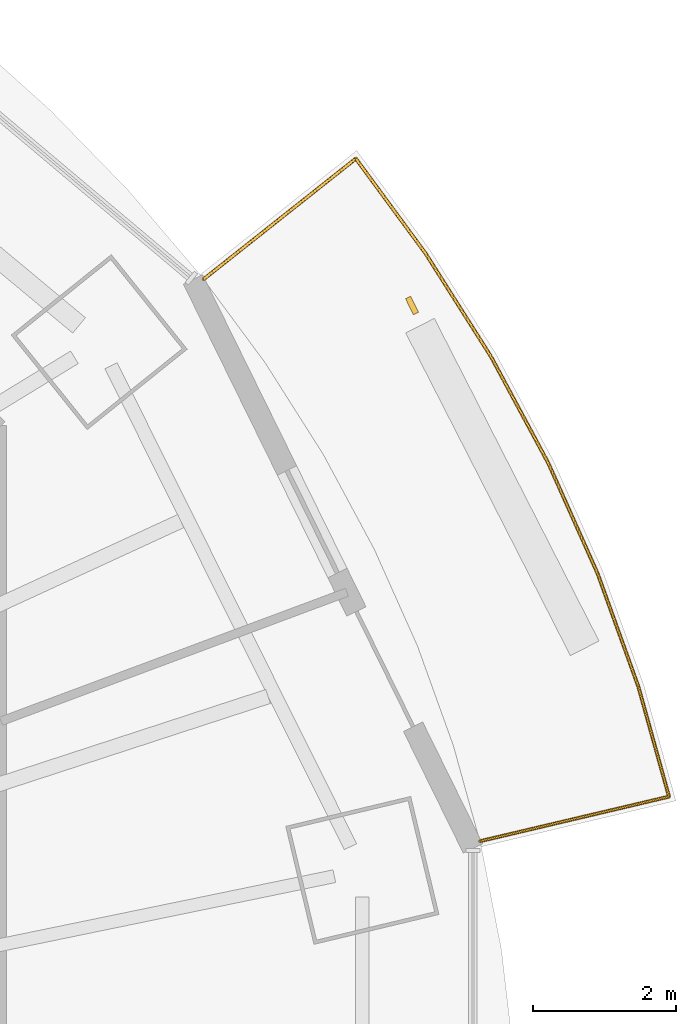
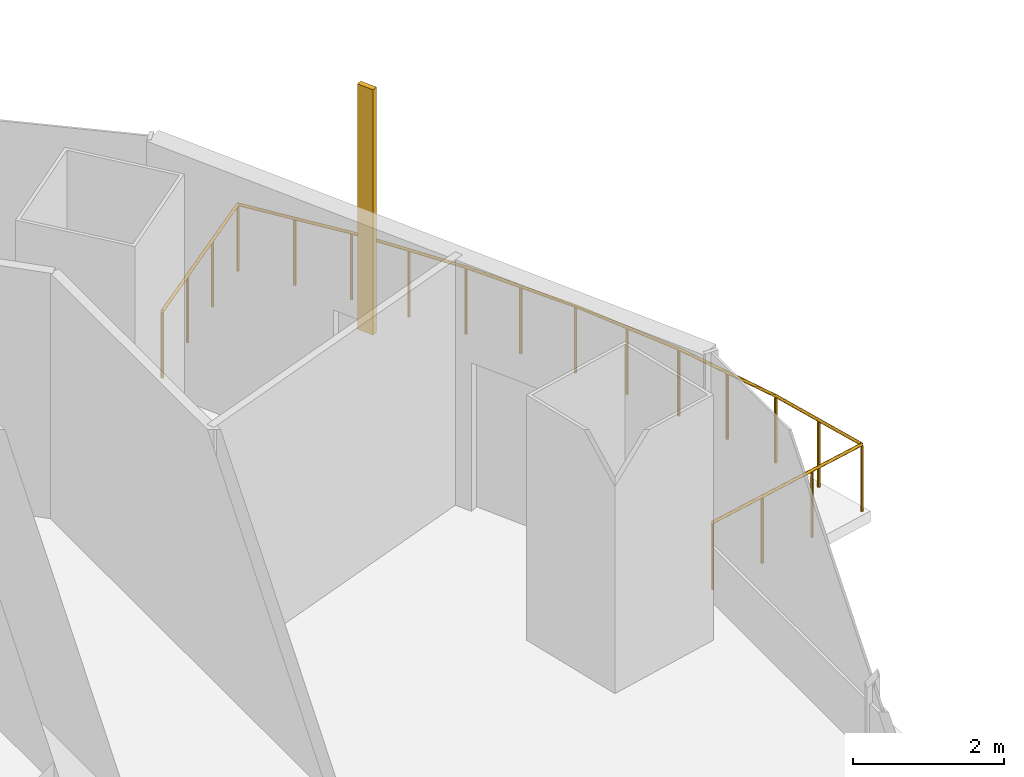
# One storey, part 15 of 16: 1 railing, 1 shading device.
"""IFC4 building model written with IfcOpenShell, lengths in metres."""

from ifc_helpers import new_model, si_unit, direction, frame, origin, origin_2d, place, context, subcontext, project, spatial, rectangle, circle, extrude, material, material_profile, profile_set, type_object, element, save


model = new_model("IFC4")

# Units and contexts
model_context = context("Model", 3, precision=1e-05, world=origin(), true_north=direction((0.0, 1.0)))
body_context = subcontext(model_context, "Body", "Model", "MODEL_VIEW")
ifc_project = project(units=[si_unit("LENGTHUNIT", "METRE"), si_unit("AREAUNIT", "SQUARE_METRE"), si_unit("VOLUMEUNIT", "CUBIC_METRE"), si_unit("PLANEANGLEUNIT", "RADIAN"), si_unit("MASSUNIT", "GRAM", prefix="KILO")], contexts=[model_context])

# Site, building, storey
site_placement = place(None, origin())
site = spatial("IfcSite", under=ifc_project, at=site_placement, CompositionType="ELEMENT")
building_placement = place(site_placement, origin())
building = spatial("IfcBuilding", under=site, at=building_placement, Name="Marenthal Gate Tower", CompositionType="ELEMENT")
storey_placement = place(building_placement, frame((0.0, 0.0, 363.35009765625)))
storey = spatial("IfcBuildingStorey", under=building, at=storey_placement, Name="L82", CompositionType="ELEMENT", Elevation=363.35009765625)

# Railing
ifc_material_1 = material(Name="Stainless steel", Category="steel")
railing_type = type_object("IfcRailingType", Name="Balcony guard 1100", PredefinedType="GUARDRAIL", material=ifc_material_1)
railing_placement = place(storey_placement, frame((21.587890625, 13.188232421875, 0.0)))
element("IfcRailing", 1, at=railing_placement, inside=storey, type_object=railing_type, Name="Balcony guard L82 bay 1", PredefinedType="GUARDRAIL", context=body_context, shape_type="SweptSolid", body=[
    extrude(circle(Radius=0.02392578125, at=origin_2d()), frame((0.0, 0.0, 1.076171875), z_axis=(0.783769769253, 0.620877048402, -0.014718681113), x_axis=(-0.6209443126, 0.783854680824, 0.0)), (0.0, 0.0, 1.0), 2.72021484375),
    extrude(circle(Radius=0.02392578125, at=origin_2d()), frame((2.132080078125, 1.68896484375, 1.0361328125), z_axis=(0.592398949291, -0.805644763453, 0.0), x_axis=(0.805644763453, 0.592398949291, 0.0)), (0.0, 0.0, 1.0), 1.645263671875),
    extrude(circle(Radius=0.02392578125, at=origin_2d()), frame((3.106689453125, 0.363525390625, 1.0361328125), z_axis=(0.535611442073, -0.844464554093, 0.0), x_axis=(0.844464554093, 0.535611442073, 0.0)), (0.0, 0.0, 1.0), 1.712890625),
    extrude(circle(Radius=0.02392578125, at=origin_2d()), frame((4.024169921875, -1.0830078125, 1.0361328125), z_axis=(0.473697696888, -0.880687510961, 0.0), x_axis=(0.880687510961, 0.473697696888, 0.0)), (0.0, 0.0, 1.0), 1.701904296875),
    extrude(circle(Radius=0.02392578125, at=origin_2d()), frame((4.830322265625, -2.581787109375, 1.0361328125), z_axis=(0.407717433046, -0.913108150654, 0.0), x_axis=(0.913108150654, 0.407717433046, 0.0)), (0.0, 0.0, 1.0), 1.692138671875),
    extrude(circle(Radius=0.02392578125, at=origin_2d()), frame((5.520263671875, -4.126953125, 1.0361328125), z_axis=(0.338760549355, -0.940872621666, 0.0), x_axis=(0.940872621666, 0.338760549355, 0.0)), (0.0, 0.0, 1.0), 1.68359375),
    extrude(circle(Radius=0.02392578125, at=origin_2d()), frame((6.090576171875, -5.7109375, 1.0361328125), z_axis=(0.268353564757, -0.963320488873, 0.0), x_axis=(0.963320488873, 0.268353564757, 0.0)), (0.0, 0.0, 1.0), 1.5966796875),
    extrude(circle(Radius=0.02392578125, at=origin_2d()), frame((6.51904296875, -7.2490234375, 1.0361328125), z_axis=(-0.973197410229, -0.229499748958, 0.014719577172), x_axis=(0.22952461539, -0.973302856736, 0.0)), (0.0, 0.0, 1.0), 2.72021484375),
    extrude(circle(Radius=0.02099609375, at=origin_2d()), origin(), (0.0, 0.0, 1.0), 1.052001953125),
    extrude(circle(Radius=0.02099609375, at=origin_2d()), frame((0.710693359375, 0.56298828125, -0.013427734375)), (0.0, 0.0, 1.0), 1.052001953125),
    extrude(circle(Radius=0.02099609375, at=origin_2d()), frame((1.42138671875, 1.1259765625, -0.026611328125)), (0.0, 0.0, 1.0), 1.052001953125),
    extrude(circle(Radius=0.02099609375, at=origin_2d()), frame((2.132080078125, 1.68896484375, -0.0400390625)), (0.0, 0.0, 1.0), 1.052001953125),
    extrude(circle(Radius=0.02099609375, at=origin_2d()), frame((2.619384765625, 1.0263671875, -0.0400390625)), (0.0, 0.0, 1.0), 1.052001953125),
    extrude(circle(Radius=0.02099609375, at=origin_2d()), frame((3.106689453125, 0.363525390625, -0.0400390625)), (0.0, 0.0, 1.0), 1.052001953125),
    extrude(circle(Radius=0.02099609375, at=origin_2d()), frame((3.5654296875, -0.35986328125, -0.0400390625)), (0.0, 0.0, 1.0), 1.052001953125),
    extrude(circle(Radius=0.02099609375, at=origin_2d()), frame((4.024169921875, -1.0830078125, -0.0400390625)), (0.0, 0.0, 1.0), 1.052001953125),
    extrude(circle(Radius=0.02099609375, at=origin_2d()), frame((4.42724609375, -1.83251953125, -0.0400390625)), (0.0, 0.0, 1.0), 1.052001953125),
    extrude(circle(Radius=0.02099609375, at=origin_2d()), frame((4.830322265625, -2.581787109375, -0.0400390625)), (0.0, 0.0, 1.0), 1.052001953125),
    extrude(circle(Radius=0.02099609375, at=origin_2d()), frame((5.17529296875, -3.3544921875, -0.0400390625)), (0.0, 0.0, 1.0), 1.052001953125),
    extrude(circle(Radius=0.02099609375, at=origin_2d()), frame((5.520263671875, -4.126953125, -0.0400390625)), (0.0, 0.0, 1.0), 1.052001953125),
    extrude(circle(Radius=0.02099609375, at=origin_2d()), frame((5.805419921875, -4.9189453125, -0.0400390625)), (0.0, 0.0, 1.0), 1.052001953125),
    extrude(circle(Radius=0.02099609375, at=origin_2d()), frame((6.090576171875, -5.7109375, -0.0400390625)), (0.0, 0.0, 1.0), 1.052001953125),
    extrude(circle(Radius=0.02099609375, at=origin_2d()), frame((6.3046875, -6.47998046875, -0.0400390625)), (0.0, 0.0, 1.0), 1.052001953125),
    extrude(circle(Radius=0.02099609375, at=origin_2d()), frame((6.51904296875, -7.2490234375, -0.0400390625)), (0.0, 0.0, 1.0), 1.052001953125),
    extrude(circle(Radius=0.02099609375, at=origin_2d()), frame((5.63671875, -7.45703125, -0.026611328125)), (0.0, 0.0, 1.0), 1.052001953125),
    extrude(circle(Radius=0.02099609375, at=origin_2d()), frame((4.754150390625, -7.665283203125, -0.013427734375)), (0.0, 0.0, 1.0), 1.052001953125),
    extrude(circle(Radius=0.02099609375, at=origin_2d()), frame((3.871826171875, -7.873291015625, 0.0)), (0.0, 0.0, 1.0), 1.052001953125),
])

# Shading device
ifc_material_2 = material(Name="Terracotta", Category="masonry")
ifc_material_profile = material_profile(ifc_material_2, rectangle(XDim=0.25, YDim=0.080078125, at=origin_2d()), Name="Terracotta baguette 250x80")
ifc_profile_set = profile_set([ifc_material_profile], Name="Terracotta")
shading_device_type = type_object("IfcShadingDeviceType", Name="Terracotta BAGUETTE SCREEN 250x80", PredefinedType="USERDEFINED", material=ifc_profile_set)
shading_device_placement = place(storey_placement, frame((24.506591796875, 12.820068359375, -0.0400390625), z_axis=(0.0, 0.0, 1.0), x_axis=(-0.441063469926, 0.897475913603, 0.0)))
element("IfcShadingDevice", 2, at=shading_device_placement, inside=storey, type_object=shading_device_type, Name="Terracotta BAGUETTE L82 bay 1R", ObjectType="BAGUETTE SCREEN", PredefinedType="USERDEFINED", context=body_context, shape_type="SweptSolid", body=[
    extrude(rectangle(XDim=0.25, YDim=0.080078125, at=origin_2d()), origin(), (0.0, 0.0, 1.0), 3.969970703125),
])

save(model, "model.ifc")
